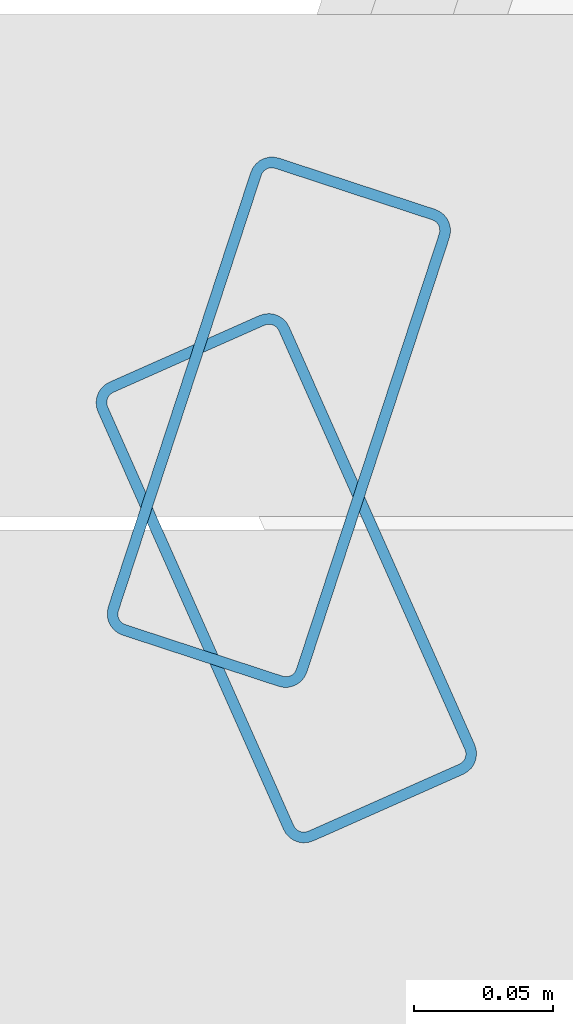
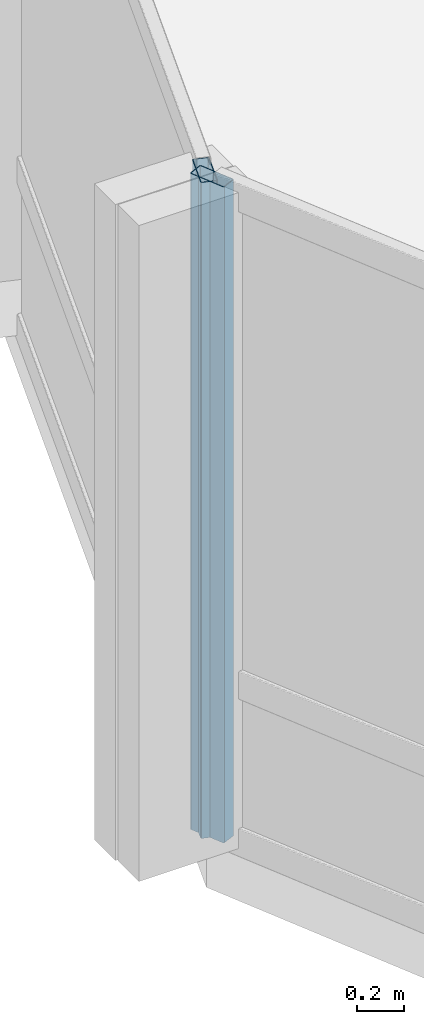
# One storey, part 6 of 29: 2 members, 2 elements without a shape of their own.
"""IFC4 building model written with IfcOpenShell, lengths in metres."""

from ifc_helpers import new_model, si_unit, direction, frame, origin, origin_2d, place, context, subcontext, project, spatial, hollow_rectangle, extrude, material, layer, layer_set, material_profile, profile_set, type_object, element, aggregate, save


model = new_model("IFC4")

# Units and contexts
model_context = context("Model", 3, precision=1e-05, world=origin(), true_north=direction((0.0, 1.0)))
body_context = subcontext(model_context, "Body", "Model", "MODEL_VIEW")
ifc_project = project(units=[si_unit("LENGTHUNIT", "METRE"), si_unit("AREAUNIT", "SQUARE_METRE"), si_unit("VOLUMEUNIT", "CUBIC_METRE"), si_unit("PLANEANGLEUNIT", "RADIAN"), si_unit("MASSUNIT", "GRAM", prefix="KILO")], contexts=[model_context])

# Site, building, storey
site_placement = place(None, origin())
site = spatial("IfcSite", under=ifc_project, at=site_placement, CompositionType="ELEMENT")
building_placement = place(site_placement, origin())
building = spatial("IfcBuilding", under=site, at=building_placement, Name="Solvaryn Broadcast Tower", CompositionType="ELEMENT")
storey_placement = place(building_placement, frame((0.0, 0.0, 139.60009765625)))
storey = spatial("IfcBuildingStorey", under=building, at=storey_placement, Name="L34", CompositionType="ELEMENT", Elevation=139.60009765625)

# Curtain wall, member
ifc_material_1 = material(Name="Aluminium and Terracotta Unitised Curtain Wall", Category="masonry")
ifc_layer_1 = layer(ifc_material_1, 0.199951171875)
ifc_layer_set_1 = layer_set([ifc_layer_1], Name="CW-SYS2-LOWMID")
curtain_wall_type_1 = type_object("IfcCurtainWallType", Name="CW-SYS2-LOWMID", PredefinedType="NOTDEFINED", material=ifc_layer_set_1)
curtain_wall_1_placement = place(storey_placement, origin())
curtain_wall_1 = element("IfcCurtainWall", 1, at=curtain_wall_1_placement, inside=storey, type_object=curtain_wall_type_1, Name="L34 Curtain Wall DR1", PredefinedType="NOTDEFINED")
ifc_material_2 = material(Name="Anodised Aluminium 6063-T6", Category="aluminium")
ifc_material_profile = material_profile(ifc_material_2, hollow_rectangle(XDim=0.074951171875, YDim=0.179931640625, WallThickness=0.00390625, InnerFilletRadius=0.00390625, OuterFilletRadius=0.008056640625, at=origin_2d()))
ifc_profile_set = profile_set([ifc_material_profile], Name="Anodised Aluminium 6063-T6")
member_type = type_object("IfcMemberType", Name="CW-MUL-180", PredefinedType="MULLION", material=ifc_profile_set)
member_1_placement = place(storey_placement, frame((1.04345703125, 26.66455078125, 0.0), z_axis=(0.0, 0.0, 1.0), x_axis=(0.950198260794, -0.311646057547, 0.0)))
member_1 = element("IfcMember", 2, at=member_1_placement, type_object=member_type, Name="CWS2 mullion 2", PredefinedType="MULLION", context=body_context, shape_type="SweptSolid", body=[
    extrude(hollow_rectangle(XDim=0.074951171875, YDim=0.179931640625, WallThickness=0.00390625, InnerFilletRadius=0.00390625, OuterFilletRadius=0.008056640625, at=origin_2d()), origin(), (0.0, 0.0, 1.0), 3.419921875),
])
aggregate(curtain_wall_1, [member_1])

ifc_material_3 = material(Name="Aluminium and Terracotta Unitised Curtain Wall", Category="masonry")
ifc_layer_2 = layer(ifc_material_3, 0.239990234375)
ifc_layer_set_2 = layer_set([ifc_layer_2], Name="CW-SYS3-BAYBOX")
curtain_wall_type_2 = type_object("IfcCurtainWallType", Name="CW-SYS3-BAYBOX", PredefinedType="NOTDEFINED", material=ifc_layer_set_2)
curtain_wall_2_placement = place(storey_placement, origin())
curtain_wall_2 = element("IfcCurtainWall", 3, at=curtain_wall_2_placement, inside=storey, type_object=curtain_wall_type_2, Name="L34 Curtain Wall DR2", PredefinedType="NOTDEFINED")
member_2_placement = place(storey_placement, frame((1.046142578125, 26.608642578125, 0.0), z_axis=(0.0, 0.0, 1.0), x_axis=(0.913909311008, 0.405918429309, 0.0)))
member_2 = element("IfcMember", 4, at=member_2_placement, type_object=member_type, Name="CWS3 mullion 1", PredefinedType="MULLION", context=body_context, shape_type="SweptSolid", body=[
    extrude(hollow_rectangle(XDim=0.074951171875, YDim=0.179931640625, WallThickness=0.00390625, InnerFilletRadius=0.00390625, OuterFilletRadius=0.008056640625, at=origin_2d()), origin(), (0.0, 0.0, 1.0), 3.419921875),
])
aggregate(curtain_wall_2, [member_2])

save(model, "model.ifc")
